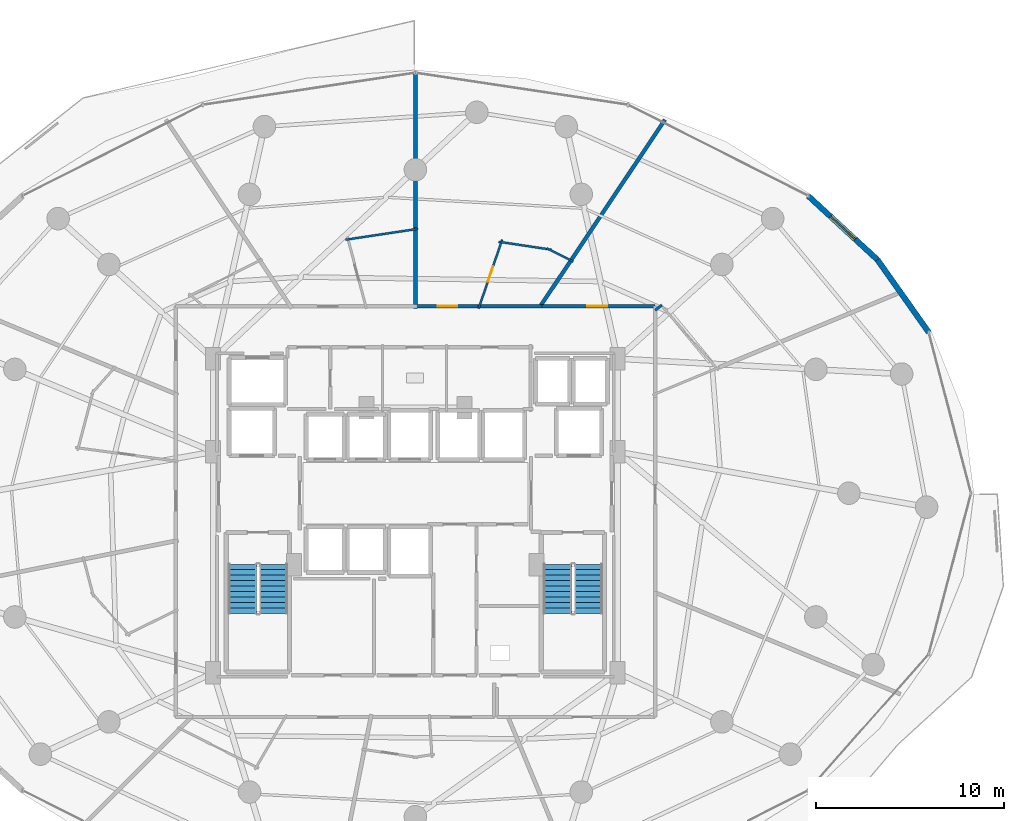
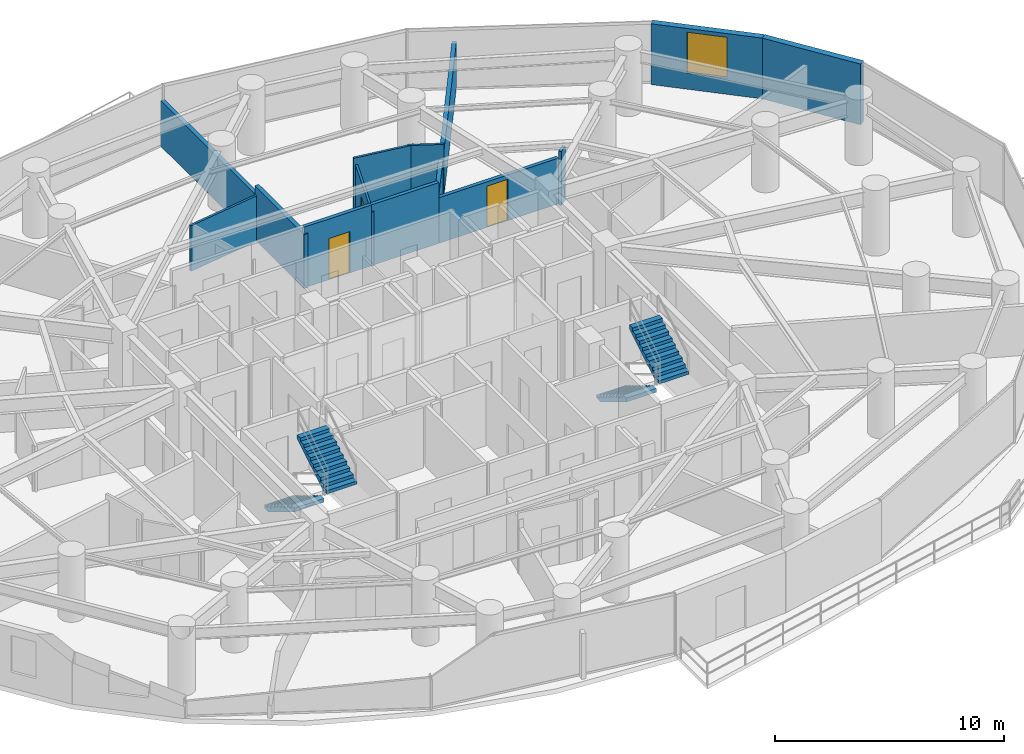
# One storey, part 31 of 35: 13 walls, 4 stair flights, 3 doors, 1 window, 4 openings, 2 elements without a shape of their own.
"""IFC4 building model written with IfcOpenShell, lengths in metres."""

from ifc_helpers import new_model, si_unit, direction, frame, frame_2d, origin, place, context, subcontext, project, spatial, polyline, rectangle, outline, extrude, material, layer, layer_set, type_object, element, fill, aggregate, save


model = new_model("IFC4")

# Units and contexts
model_context = context("Model", 3, precision=1e-05, world=origin(), true_north=direction((0.0, 1.0)))
body_context = subcontext(model_context, "Body", "Model", "MODEL_VIEW")
ifc_project = project(units=[si_unit("LENGTHUNIT", "METRE"), si_unit("AREAUNIT", "SQUARE_METRE"), si_unit("VOLUMEUNIT", "CUBIC_METRE"), si_unit("PLANEANGLEUNIT", "RADIAN"), si_unit("MASSUNIT", "GRAM", prefix="KILO")], contexts=[model_context])

# Site, building, storey
site_placement = place(None, origin())
site = spatial("IfcSite", under=ifc_project, at=site_placement, CompositionType="ELEMENT")
building_placement = place(site_placement, origin())
building = spatial("IfcBuilding", under=site, at=building_placement, Name="Vorneva Point Tower", CompositionType="ELEMENT")
storey_placement = place(building_placement, frame((0.0, 0.0, 48.5)))
storey = spatial("IfcBuildingStorey", under=building, at=storey_placement, Name="L12", CompositionType="ELEMENT", Elevation=48.5)

# Wall
ifc_material_1 = material(Name="Precast concrete B50 (C40/50)", Category="concrete")
ifc_layer_1 = layer(ifc_material_1, 0.300048828125)
ifc_layer_set_1 = layer_set([ifc_layer_1], Name="Precast concrete B50 (C40/50)")
wall_type_1 = type_object("IfcWallType", Name="WL-EXT-300", PredefinedType="STANDARD", material=ifc_layer_set_1)
wall_1_placement = place(storey_placement, frame((65.300537109375, 34.552978515625, 0.0), z_axis=(0.0, 0.0, 1.0), x_axis=(-0.577130815624, 0.816651713803, 0.0)))
element("IfcWall", 1, at=wall_1_placement, inside=storey, type_object=wall_type_1, Name="L12 Pale-Metal Facade Spandrel Wall 02.1", PredefinedType="STANDARD", context=body_context, shape_type="SweptSolid", body=[
    extrude(rectangle(XDim=4.7314453125, YDim=0.300048828125, at=frame_2d((2.36572265625, 0.0))), origin(), (0.0, 0.0, 1.0), 3.239990234375),
])

# Wall, opening, window
wall_2_placement = place(storey_placement, frame((62.56982421875, 38.4169921875, 0.0), z_axis=(0.0, 0.0, 1.0), x_axis=(-0.735342629635, 0.677695519419, 0.0)))
wall_2 = element("IfcWall", 2, at=wall_2_placement, inside=storey, type_object=wall_type_1, Name="L12 Pale-Metal Facade Spandrel Wall 02.2", PredefinedType="STANDARD", context=body_context, shape_type="SweptSolid", body=[
    extrude(rectangle(XDim=4.997314453125, YDim=0.300048828125, at=frame_2d((2.49853515625, 0.0))), origin(), (0.0, 0.0, 1.0), 3.239990234375),
])
opening_1_placement = place(wall_2_placement, frame((1.598876953125, 0.0, 0.85009765625)))
opening_1 = element("IfcOpeningElement", 3, at=opening_1_placement, cuts=wall_2, Name="Opening W-01", PredefinedType="OPENING", context=body_context, shape_type="SweptSolid", body=[
    extrude(rectangle(XDim=1.800048828125, YDim=2.18994140625, at=frame_2d((0.89990234375, 1.094970703125))), frame((0.0, 0.1650390625, 0.0), z_axis=(0.0, -1.0, 0.0), x_axis=(1.0, 0.0, 0.0)), (0.0, 0.0, 1.0), 0.329833984375),
])
ifc_material_2 = material(Name="Double low-e laminated glass IGU", Category="glass")
window_type = type_object("IfcWindowType", Name="WN-LOG-1800", PartitioningType="SINGLE_PANEL", PredefinedType="WINDOW", material=ifc_material_2)
window_placement = place(opening_1_placement, origin())
window = element("IfcWindow", 4, at=window_placement, inside=storey, type_object=window_type, Name="L12 Facade Window 02", OverallHeight=2.18994140625, OverallWidth=1.800048828125, PartitioningType="SINGLE_PANEL", PredefinedType="WINDOW", context=body_context, shape_type="SweptSolid", body=[
    extrude(rectangle(XDim=1.800048828125, YDim=2.18994140625, at=frame_2d((0.89990234375, 1.094970703125))), frame((0.0, 0.030029296875, 0.0), z_axis=(0.0, -1.0, 0.0), x_axis=(1.0, 0.0, 0.0)), (0.0, 0.0, 1.0), 0.06005859375),
])
fill(opening_1, window)

# Walls
ifc_material_3 = material(Name="Fire-rated acoustic gypsum stud partition", Category="gypsum")
ifc_layer_2 = layer(ifc_material_3, 0.110107421875)
ifc_layer_set_2 = layer_set([ifc_layer_2], Name="Fire-rated acoustic gypsum stud partition")
wall_type_2 = type_object("IfcWallType", Name="WL-PART-110", PredefinedType="PARTITIONING", material=ifc_layer_set_2)
wall_3_placement = place(storey_placement, frame((42.431640625, 39.369873046875, 0.0), z_axis=(0.0, 0.0, 1.0), x_axis=(0.988877663763, -0.148731187416, 0.0)))
element("IfcWall", 5, at=wall_3_placement, inside=storey, type_object=wall_type_2, Name="L12 Interior Partition 054", PredefinedType="PARTITIONING", context=body_context, shape_type="SweptSolid", body=[
    extrude(rectangle(XDim=2.84130859375, YDim=0.110107421875, at=frame_2d((1.420654296875, 0.0))), origin(), (0.0, 0.0, 1.0), 3.239990234375),
])
wall_4_placement = place(storey_placement, frame((44.97802734375, 39.03125, 0.0), z_axis=(0.0, 0.0, 1.0), x_axis=(0.892388427115, -0.451268096758, 0.0)))
element("IfcWall", 6, at=wall_4_placement, inside=storey, type_object=wall_type_2, Name="L12 Interior Partition 055", PredefinedType="PARTITIONING", context=body_context, shape_type="SweptSolid", body=[
    extrude(rectangle(XDim=1.587890625, YDim=0.110107421875, at=frame_2d((0.7939453125, 0.0))), origin(), (0.0, 0.0, 1.0), 3.239990234375),
])

# Wall, opening, door
wall_5_placement = place(storey_placement, frame((41.36181640625, 35.8173828125, 0.0), z_axis=(0.0, 0.0, 1.0), x_axis=(0.323669856167, 0.946170082072, 0.0)))
wall_5 = element("IfcWall", 7, at=wall_5_placement, inside=storey, type_object=wall_type_2, Name="L12 Interior Partition 056", PredefinedType="PARTITIONING", context=body_context, shape_type="SweptSolid", body=[
    extrude(rectangle(XDim=3.87255859375, YDim=0.110107421875, at=frame_2d((1.936279296875, 0.0))), origin(), (0.0, 0.0, 1.0), 2.885986328125),
])
opening_2_placement = place(wall_5_placement, frame((1.51123046875, 0.0, 0.0)))
opening_2 = element("IfcOpeningElement", 8, at=opening_2_placement, cuts=wall_5, Name="Opening ID-02", PredefinedType="OPENING", context=body_context, shape_type="SweptSolid", body=[
    extrude(rectangle(XDim=0.85009765625, YDim=2.10009765625, at=frame_2d((0.425048828125, 1.050048828125))), frame((0.0, 0.06982421875, 0.0), z_axis=(0.0, -1.0, 0.0), x_axis=(1.0, 0.0, 0.0)), (0.0, 0.0, 1.0), 0.139892578125),
])
ifc_material_4 = material(Name="Engineered oak fire-rated door leaf", Category="wood")
door_type_1 = type_object("IfcDoorType", Name="DR-BATH-850", OperationType="NOTDEFINED", PredefinedType="DOOR", material=ifc_material_4)
door_1_placement = place(opening_2_placement, origin())
door_1 = element("IfcDoor", 9, at=door_1_placement, inside=storey, type_object=door_type_1, Name="L12 Door Junior Suite L12-02 / En-Suite Bathroom L12-02", OperationType="SINGLE_SWING_LEFT", OverallHeight=2.10009765625, OverallWidth=0.85009765625, PredefinedType="DOOR", context=body_context, shape_type="SweptSolid", body=[
    extrude(rectangle(XDim=0.85009765625, YDim=2.10009765625, at=frame_2d((0.425048828125, 1.050048828125))), frame((0.0, 0.02490234375, 0.0), z_axis=(0.0, -1.0, 0.0), x_axis=(1.0, 0.0, 0.0)), (0.0, 0.0, 1.0), 0.050048828125),
])
fill(opening_2, door_1)

# Walls
wall_6_placement = place(storey_placement, frame((34.28271484375, 39.477294921875, 0.0), z_axis=(0.0, 0.0, 1.0), x_axis=(0.988889916837, 0.148649696864, 0.0)))
element("IfcWall", 10, at=wall_6_placement, inside=storey, type_object=wall_type_2, Name="L12 Interior Partition 059", PredefinedType="PARTITIONING", context=body_context, shape_type="SweptSolid", body=[
    extrude(rectangle(XDim=3.89892578125, YDim=0.110107421875, at=frame_2d((1.949462890625, 0.0))), origin(), (0.0, 0.0, 1.0), 2.431884765625),
])
ifc_layer_3 = layer(ifc_material_3, 0.139892578125)
ifc_layer_set_3 = layer_set([ifc_layer_3], Name="Fire-rated acoustic gypsum stud partition")
wall_type_3 = type_object("IfcWallType", Name="WL-PART-140", PredefinedType="PARTITIONING", material=ifc_layer_set_3)
wall_7_placement = place(storey_placement, frame((51.09912109375, 35.9970703125, 0.0), z_axis=(0.0, 0.0, 1.0), x_axis=(-0.794185002189, -0.607676050456, 0.0)))
element("IfcWall", 11, at=wall_7_placement, inside=storey, type_object=wall_type_3, Name="L12 Interior Closure Partition 108", PredefinedType="PARTITIONING", context=body_context, shape_type="SweptSolid", body=[
    extrude(rectangle(XDim=0.441162109375, YDim=0.139892578125, at=frame_2d((0.220703125, 0.0))), origin(), (0.0, 0.0, 1.0), 2.885986328125),
])

# Wall, opening, door
ifc_material_5 = material(Name="Autoclaved aerated concrete blockwork", Category="masonry")
ifc_layer_4 = layer(ifc_material_5, 0.179931640625)
ifc_layer_set_4 = layer_set([ifc_layer_4], Name="Autoclaved aerated concrete blockwork")
wall_type_4 = type_object("IfcWallType", Name="WL-PART-180", PredefinedType="PARTITIONING", material=ifc_layer_set_4)
wall_8_placement = place(storey_placement, frame((50.75, 35.949951171875, 0.0), z_axis=(0.0, 0.0, 1.0), x_axis=(-1.0, 0.0, 0.0)))
wall_8 = element("IfcWall", 12, at=wall_8_placement, inside=storey, type_object=wall_type_4, Name="L12 Interior Partition 026", PredefinedType="PARTITIONING", context=body_context, shape_type="SweptSolid", body=[
    extrude(rectangle(XDim=6.162109375, YDim=0.179931640625, at=frame_2d((3.0810546875, 0.0))), origin(), (0.0, 0.0, 1.0), 2.431884765625),
])
opening_3_placement = place(wall_8_placement, frame((2.555908203125, 0.0, 0.0)))
opening_3 = element("IfcOpeningElement", 13, at=opening_3_placement, cuts=wall_8, Name="Opening UD-02", PredefinedType="OPENING", context=body_context, shape_type="SweptSolid", body=[
    extrude(rectangle(XDim=1.050048828125, YDim=2.199951171875, at=frame_2d((0.52490234375, 1.10009765625))), frame((0.0, 0.10498046875, 0.0), z_axis=(0.0, -1.0, 0.0), x_axis=(1.0, 0.0, 0.0)), (0.0, 0.0, 1.0), 0.209716796875),
])
door_type_2 = type_object("IfcDoorType", Name="DR-SUITE-1050", OperationType="NOTDEFINED", PredefinedType="DOOR", material=ifc_material_4)
door_2_placement = place(opening_3_placement, origin())
door_2 = element("IfcDoor", 14, at=door_2_placement, inside=storey, type_object=door_type_2, Name="L12 Door L12 Circulation Corridor / Corner Suite L12-01", OperationType="SINGLE_SWING_RIGHT", OverallHeight=2.199951171875, OverallWidth=1.050048828125, PredefinedType="DOOR", context=body_context, shape_type="SweptSolid", body=[
    extrude(rectangle(XDim=1.050048828125, YDim=2.199951171875, at=frame_2d((0.52490234375, 1.10009765625))), frame((0.0, 0.02490234375, 0.0), z_axis=(0.0, -1.0, 0.0), x_axis=(1.0, 0.0, 0.0)), (0.0, 0.0, 1.0), 0.050048828125),
])
fill(opening_3, door_2)

wall_9_placement = place(storey_placement, frame((41.469970703125, 35.949951171875, 0.0), z_axis=(0.0, 0.0, 1.0), x_axis=(-1.0, 0.0, 0.0)))
wall_9 = element("IfcWall", 15, at=wall_9_placement, inside=storey, type_object=wall_type_4, Name="L12 Interior Partition 028", PredefinedType="PARTITIONING", context=body_context, shape_type="SweptSolid", body=[
    extrude(rectangle(XDim=3.530029296875, YDim=0.179931640625, at=frame_2d((1.76513671875, 0.0))), origin(), (0.0, 0.0, 1.0), 3.239990234375),
])
opening_4_placement = place(wall_9_placement, frame((1.239990234375, 0.0, 0.0)))
opening_4 = element("IfcOpeningElement", 16, at=opening_4_placement, cuts=wall_9, Name="Opening UD-02", PredefinedType="OPENING", context=body_context, shape_type="SweptSolid", body=[
    extrude(rectangle(XDim=1.050048828125, YDim=2.199951171875, at=frame_2d((0.52490234375, 1.10009765625))), frame((0.0, 0.10498046875, 0.0), z_axis=(0.0, -1.0, 0.0), x_axis=(1.0, 0.0, 0.0)), (0.0, 0.0, 1.0), 0.209716796875),
])
door_3_placement = place(opening_4_placement, origin())
door_3 = element("IfcDoor", 17, at=door_3_placement, inside=storey, type_object=door_type_2, Name="L12 Door L12 Circulation Corridor / Junior Suite L12-02", OperationType="SINGLE_SWING_LEFT", OverallHeight=2.199951171875, OverallWidth=1.050048828125, PredefinedType="DOOR", context=body_context, shape_type="SweptSolid", body=[
    extrude(rectangle(XDim=1.050048828125, YDim=2.199951171875, at=frame_2d((0.52490234375, 1.10009765625))), frame((0.0, 0.02490234375, 0.0), z_axis=(0.0, -1.0, 0.0), x_axis=(1.0, 0.0, 0.0)), (0.0, 0.0, 1.0), 0.050048828125),
])
fill(opening_4, door_3)

# Walls
wall_10_placement = place(storey_placement, frame((44.72802734375, 35.949951171875, 0.0), z_axis=(0.0, 0.0, 1.0), x_axis=(-1.0, 0.0, 0.0)))
element("IfcWall", 18, at=wall_10_placement, inside=storey, type_object=wall_type_4, Name="L12 Interior Partition 029", PredefinedType="PARTITIONING", context=body_context, shape_type="SweptSolid", body=[
    extrude(rectangle(XDim=3.39794921875, YDim=0.179931640625, at=frame_2d((1.698974609375, 0.0))), origin(), (0.0, 0.0, 1.0), 3.239990234375),
])
ifc_layer_5 = layer(ifc_material_5, 0.199951171875)
ifc_layer_set_5 = layer_set([ifc_layer_5], Name="Autoclaved aerated concrete blockwork")
wall_type_5 = type_object("IfcWallType", Name="WL-PART-200", PredefinedType="PARTITIONING", material=ifc_layer_set_5)
wall_11_placement = place(storey_placement, frame((51.26708984375, 45.85595703125, 0.0), z_axis=(0.0, 0.0, 1.0), x_axis=(-0.55557946655, -0.831463442581, 0.0)))
element("IfcWall", 19, at=wall_11_placement, inside=storey, type_object=wall_type_5, Name="L12 Interior Partition 052", PredefinedType="PARTITIONING", context=body_context, shape_type="SweptSolid", body=[
    extrude(rectangle(XDim=11.913818359375, YDim=0.199951171875, at=frame_2d((5.95703125, 0.0))), origin(), (0.0, 0.0, 1.0), 2.431884765625),
])
wall_12_placement = place(storey_placement, frame((38.0, 48.35009765625, 0.0), z_axis=(0.0, 0.0, 1.0), x_axis=(0.0, -1.0, 0.0)))
element("IfcWall", 20, at=wall_12_placement, inside=storey, type_object=wall_type_5, Name="L12 Interior Partition 057", PredefinedType="PARTITIONING", context=body_context, shape_type="SweptSolid", body=[
    extrude(rectangle(XDim=8.375, YDim=0.199951171875, at=frame_2d((4.1875, 0.0))), origin(), (0.0, 0.0, 1.0), 2.431884765625),
])
wall_13_placement = place(storey_placement, frame((38.0, 40.114990234375, 0.0), z_axis=(0.0, 0.0, 1.0), x_axis=(0.0, -1.0, 0.0)))
element("IfcWall", 21, at=wall_13_placement, inside=storey, type_object=wall_type_5, Name="L12 Interior Partition 058", PredefinedType="PARTITIONING", context=body_context, shape_type="SweptSolid", body=[
    extrude(rectangle(XDim=4.304931640625, YDim=0.199951171875, at=frame_2d((2.15234375, 0.0))), origin(), (0.0, 0.0, 1.0), 2.885986328125),
])

# Stair, stair flights
ifc_material_6 = material(Name="Concrete B50 (C40/50)", Category="concrete")
stair_type = type_object("IfcStairType", Name="ST-DOG-1500", PredefinedType="HALF_TURN_STAIR", material=ifc_material_6)
stair_1_placement = place(storey_placement, origin())
stair_1 = element("IfcStair", 22, at=stair_1_placement, inside=storey, type_object=stair_type, Name="L12 ST1", PredefinedType="HALF_TURN_STAIR")
stair_flight_type = type_object("IfcStairFlightType", Name="STF-1500", PredefinedType="STRAIGHT", material=ifc_material_6)
stair_flight_1_placement = place(storey_placement, frame((28.800048828125, 22.219970703125, 0.0), z_axis=(0.0, 0.0, 1.0), x_axis=(0.0, -1.0, 0.0)))
stair_flight_1 = element("IfcStairFlight", 23, at=stair_flight_1_placement, type_object=stair_flight_type, Name="ST1 flight 1", NumberOfRisers=10, NumberOfTreads=9, PredefinedType="STRAIGHT", RiserHeight=0.175, TreadLength=0.29, context=body_context, shape_type="SweptSolid", body=[
    extrude(outline(polyline([(0.0, 0.0), (0.0, 0.175048828125), (0.2900390625, 0.175048828125), (0.2900390625, 0.35009765625), (0.580078125, 0.35009765625), (0.580078125, 0.52490234375), (0.8701171875, 0.52490234375), (0.8701171875, 0.699951171875), (1.159912109375, 0.699951171875), (1.159912109375, 0.875), (1.449951171875, 0.875), (1.449951171875, 1.050048828125), (1.739990234375, 1.050048828125), (1.739990234375, 1.22509765625), (2.030029296875, 1.22509765625), (2.030029296875, 1.39990234375), (2.320068359375, 1.39990234375), (2.320068359375, 1.574951171875), (2.610107421875, 1.574951171875), (2.610107421875, 1.75), (2.610107421875, 1.36474609375), (0.34814453125, 0.0), (0.0, 0.0)])), frame((0.0, 0.75, 0.0), z_axis=(0.0, -1.0, 0.0), x_axis=(1.0, 0.0, 0.0)), (0.0, 0.0, 1.0), 1.5),
])
stair_flight_2_placement = place(storey_placement, frame((30.449951171875, 19.610107421875, 1.75), z_axis=(0.0, 0.0, 1.0), x_axis=(0.0, 1.0, 0.0)))
stair_flight_2 = element("IfcStairFlight", 24, at=stair_flight_2_placement, type_object=stair_flight_type, Name="ST1 flight 2", NumberOfRisers=10, NumberOfTreads=9, PredefinedType="STRAIGHT", RiserHeight=0.175, TreadLength=0.29, context=body_context, shape_type="SweptSolid", body=[
    extrude(outline(polyline([(0.0, 0.0), (0.0, 0.175048828125), (0.2900390625, 0.175048828125), (0.2900390625, 0.35009765625), (0.580078125, 0.35009765625), (0.580078125, 0.52490234375), (0.8701171875, 0.52490234375), (0.8701171875, 0.699951171875), (1.159912109375, 0.699951171875), (1.159912109375, 0.875), (1.449951171875, 0.875), (1.449951171875, 1.050048828125), (1.739990234375, 1.050048828125), (1.739990234375, 1.22509765625), (2.030029296875, 1.22509765625), (2.030029296875, 1.39990234375), (2.320068359375, 1.39990234375), (2.320068359375, 1.574951171875), (2.610107421875, 1.574951171875), (2.610107421875, 1.75), (2.610107421875, 1.36474609375), (0.34814453125, 0.0), (0.0, 0.0)])), frame((0.0, 0.75, 0.0), z_axis=(0.0, -1.0, 0.0), x_axis=(1.0, 0.0, 0.0)), (0.0, 0.0, 1.0), 1.5),
])
aggregate(stair_1, [stair_flight_1, stair_flight_2])

stair_2_placement = place(storey_placement, origin())
stair_2 = element("IfcStair", 25, at=stair_2_placement, inside=storey, type_object=stair_type, Name="L12 ST2", PredefinedType="HALF_TURN_STAIR")
stair_flight_3_placement = place(storey_placement, frame((45.550048828125, 22.219970703125, 0.0), z_axis=(0.0, 0.0, 1.0), x_axis=(0.0, -1.0, 0.0)))
stair_flight_3 = element("IfcStairFlight", 26, at=stair_flight_3_placement, type_object=stair_flight_type, Name="ST2 flight 1", NumberOfRisers=10, NumberOfTreads=9, PredefinedType="STRAIGHT", RiserHeight=0.175, TreadLength=0.29, context=body_context, shape_type="SweptSolid", body=[
    extrude(outline(polyline([(0.0, 0.0), (0.0, 0.175048828125), (0.2900390625, 0.175048828125), (0.2900390625, 0.35009765625), (0.580078125, 0.35009765625), (0.580078125, 0.52490234375), (0.8701171875, 0.52490234375), (0.8701171875, 0.699951171875), (1.159912109375, 0.699951171875), (1.159912109375, 0.875), (1.449951171875, 0.875), (1.449951171875, 1.050048828125), (1.739990234375, 1.050048828125), (1.739990234375, 1.22509765625), (2.030029296875, 1.22509765625), (2.030029296875, 1.39990234375), (2.320068359375, 1.39990234375), (2.320068359375, 1.574951171875), (2.610107421875, 1.574951171875), (2.610107421875, 1.75), (2.610107421875, 1.36474609375), (0.34814453125, 0.0), (0.0, 0.0)])), frame((0.0, 0.75, 0.0), z_axis=(0.0, -1.0, 0.0), x_axis=(1.0, 0.0, 0.0)), (0.0, 0.0, 1.0), 1.5),
])
stair_flight_4_placement = place(storey_placement, frame((47.199951171875, 19.610107421875, 1.75), z_axis=(0.0, 0.0, 1.0), x_axis=(0.0, 1.0, 0.0)))
stair_flight_4 = element("IfcStairFlight", 27, at=stair_flight_4_placement, type_object=stair_flight_type, Name="ST2 flight 2", NumberOfRisers=10, NumberOfTreads=9, PredefinedType="STRAIGHT", RiserHeight=0.175, TreadLength=0.29, context=body_context, shape_type="SweptSolid", body=[
    extrude(outline(polyline([(0.0, 0.0), (0.0, 0.175048828125), (0.2900390625, 0.175048828125), (0.2900390625, 0.35009765625), (0.580078125, 0.35009765625), (0.580078125, 0.52490234375), (0.8701171875, 0.52490234375), (0.8701171875, 0.699951171875), (1.159912109375, 0.699951171875), (1.159912109375, 0.875), (1.449951171875, 0.875), (1.449951171875, 1.050048828125), (1.739990234375, 1.050048828125), (1.739990234375, 1.22509765625), (2.030029296875, 1.22509765625), (2.030029296875, 1.39990234375), (2.320068359375, 1.39990234375), (2.320068359375, 1.574951171875), (2.610107421875, 1.574951171875), (2.610107421875, 1.75), (2.610107421875, 1.36474609375), (0.34814453125, 0.0), (0.0, 0.0)])), frame((0.0, 0.75, 0.0), z_axis=(0.0, -1.0, 0.0), x_axis=(1.0, 0.0, 0.0)), (0.0, 0.0, 1.0), 1.5),
])
aggregate(stair_2, [stair_flight_3, stair_flight_4])

save(model, "model.ifc")
